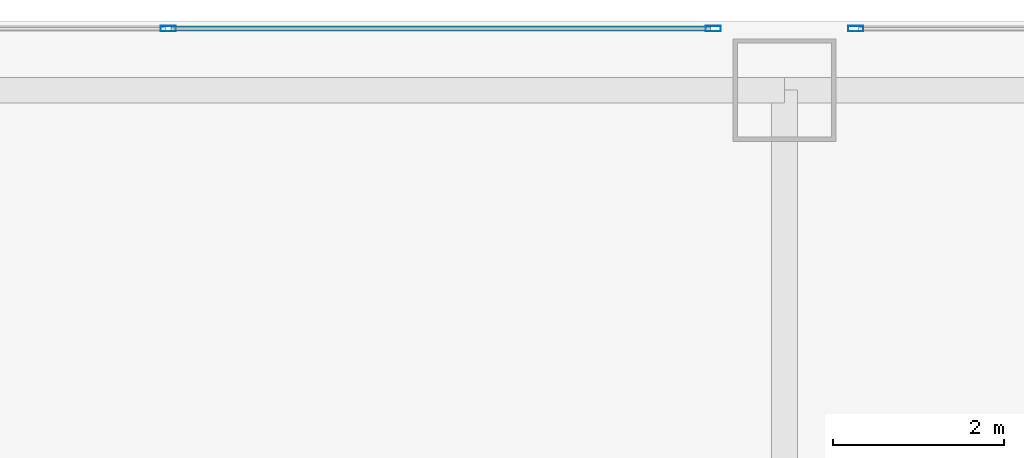
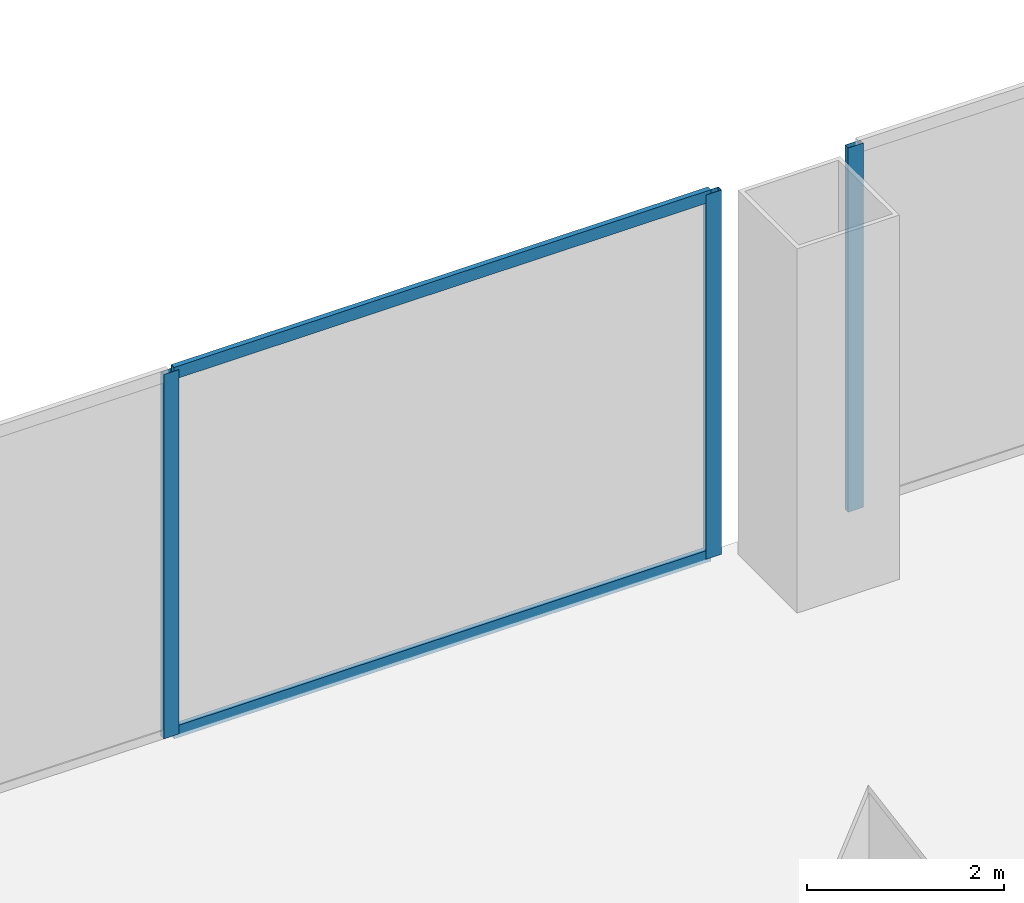
# One storey, part 20 of 40: 5 members, 2 elements without a shape of their own.
"""IFC4 building model written with IfcOpenShell, lengths in metres."""

import ifcopenshell
import ifcopenshell.guid

model = None  # the IFC model being written
_history = None  # IfcOwnerHistory: only IFC2X3 demands one
_inside = {}  # id of a spatial element -> (the spatial element, [elements in it])
_under = {}  # id of a project, library or spatial element -> (it, [spatial elements below it])
_declared = {}  # id of a project -> (the project, [libraries it declares])
_typed = {}  # id of a type object -> (the type object, [elements of that type])
_made_of = {}  # id of a material, layer set ... -> (it, [elements and type objects made of it])


def new_model(schema):
    """Start an empty IFC model of exactly this schema.

    Asked for "IFC4X3", IfcOpenShell would pick the latest addendum, in which some entities
    have other attributes; the version numbers below select the first issue.
    IFC2X3 requires an IfcOwnerHistory on every rooted entity: one is made here for all.
    """
    global model, _history
    if schema == "IFC4X3":
        model = ifcopenshell.file(schema_version=(4, 3, 0, 0))
    else:
        model = ifcopenshell.file(schema=schema)
    _inside.clear()
    _under.clear()
    _declared.clear()
    _typed.clear()
    _made_of.clear()
    _history = None
    if model.schema == "IFC2X3":
        org = make("IfcOrganization", Name="unknown")
        user = make(
            "IfcPersonAndOrganization",
            ThePerson=make("IfcPerson", FamilyName="unknown"),
            TheOrganization=org,
        )
        app = make(
            "IfcApplication",
            ApplicationDeveloper=org,
            Version="unknown",
            ApplicationFullName="unknown",
            ApplicationIdentifier="unknown",
        )
        _history = make(
            "IfcOwnerHistory",
            OwningUser=user,
            OwningApplication=app,
            ChangeAction="ADDED",
            CreationDate=0,
        )
    return model


def make(cls, **values):
    """One entity of the class cls with the attributes given. An attribute that is None is left unset."""
    return model.create_entity(
        cls, **{name: value for name, value in values.items() if value is not None}
    )


def rooted(cls, **values):
    """An entity with a GlobalId (a new one), such as an element, a storey or a relation."""
    return make(cls, GlobalId=ifcopenshell.guid.new(), OwnerHistory=_history, **values)


def si_unit(unit_type, name, prefix=None):
    """IfcSIUnit, for example si_unit("LENGTHUNIT", "METRE", prefix="MILLI")."""
    return make("IfcSIUnit", UnitType=unit_type, Prefix=prefix, Name=name)


def assignment(units):
    """IfcUnitAssignment: the units of a project."""
    return None if units is None else make("IfcUnitAssignment", Units=units)


def point(xyz):
    """IfcCartesianPoint."""
    return None if xyz is None else make("IfcCartesianPoint", Coordinates=xyz)


def direction(xyz):
    """IfcDirection."""
    return None if xyz is None else make("IfcDirection", DirectionRatios=xyz)


def frame(location, z_axis=None, x_axis=None):
    """IfcAxis2Placement3D, a coordinate frame: its origin and axes. An axis left out is left unset."""
    return make(
        "IfcAxis2Placement3D",
        Location=point(location),
        Axis=direction(z_axis),
        RefDirection=direction(x_axis),
    )


def frame_2d(location, x_axis=None):
    """IfcAxis2Placement2D, a coordinate frame in the plane: its origin and x axis."""
    return make(
        "IfcAxis2Placement2D", Location=point(location), RefDirection=direction(x_axis)
    )


def origin():
    """The frame at (0, 0, 0) with its axes left unset."""
    return frame((0.0, 0.0, 0.0))


def origin_2d():
    """The frame at (0, 0) in the plane with its x axis left unset."""
    return frame_2d((0.0, 0.0))


def place(relative_to, where):
    """IfcLocalPlacement: puts the frame where relative to a parent placement (None: the world)."""
    return make(
        "IfcLocalPlacement", PlacementRelTo=relative_to, RelativePlacement=where
    )


def context(
    kind, dimensions, precision=None, world=None, true_north=None, identifier=None
):
    """IfcGeometricRepresentationContext, for example the 3D "Model" context."""
    return make(
        "IfcGeometricRepresentationContext",
        ContextIdentifier=identifier,
        ContextType=kind,
        CoordinateSpaceDimension=dimensions,
        Precision=precision,
        WorldCoordinateSystem=world,
        TrueNorth=true_north,
    )


def subcontext(parent, identifier, kind, view, scale=None):
    """IfcGeometricRepresentationSubContext, for example "Body" below "Model"."""
    return make(
        "IfcGeometricRepresentationSubContext",
        ContextIdentifier=identifier,
        ContextType=kind,
        ParentContext=parent,
        TargetScale=scale,
        TargetView=view,
    )


def project(units=None, contexts=None):
    """IfcProject with its units and contexts."""
    return rooted(
        "IfcProject",
        Name="project",
        RepresentationContexts=contexts,
        UnitsInContext=assignment(units),
    )


def spatial(cls, under=None, at=None, **own):
    """A site, building, storey or space (cls), placed at a placement, below another one or the project."""
    s = rooted(cls, ObjectPlacement=at, **own)
    if under is not None:
        _under.setdefault(under.id(), (under, []))[1].append(s)
    return s


def profile(cls, at=None, kind="AREA", **sizes):
    """A parametric profile (cls). Its sizes go by their IFC names, for example OverallWidth=200.0."""
    return make(cls, ProfileType=kind, Position=at, **sizes)


def hollow_rectangle(**sizes):
    """IfcRectangleHollowProfileDef."""
    return profile("IfcRectangleHollowProfileDef", **sizes)


def extrude(swept, where, along, depth):
    """IfcExtrudedAreaSolid: the profile swept, set in the frame where, extruded along a direction by depth."""
    return make(
        "IfcExtrudedAreaSolid",
        SweptArea=swept,
        Position=where,
        ExtrudedDirection=direction(along),
        Depth=depth,
    )


def shape(context_of_items, identifier, shape_type, items):
    """IfcShapeRepresentation: the items that make up one representation, for example the "Body"."""
    return make(
        "IfcShapeRepresentation",
        ContextOfItems=context_of_items,
        RepresentationIdentifier=identifier,
        RepresentationType=shape_type,
        Items=items,
    )


def source(mapping_origin, context_of_items, identifier, shape_type, items):
    """IfcRepresentationMap: a shape defined once, which mapped items show again and again."""
    return make(
        "IfcRepresentationMap",
        MappingOrigin=mapping_origin,
        MappedRepresentation=shape(context_of_items, identifier, shape_type, items),
    )


def transform(
    local_origin,
    x_axis=None,
    y_axis=None,
    z_axis=None,
    scale=None,
    scale2=None,
    scale3=None,
    uniform=True,
):
    """IfcCartesianTransformationOperator3D, or its non-uniform kind. x_axis, y_axis, z_axis: its Axis1, 2, 3."""
    if uniform:
        return make(
            "IfcCartesianTransformationOperator3D",
            Axis1=direction(x_axis),
            Axis2=direction(y_axis),
            LocalOrigin=point(local_origin),
            Scale=scale,
            Axis3=direction(z_axis),
        )
    return make(
        "IfcCartesianTransformationOperator3DnonUniform",
        Axis1=direction(x_axis),
        Axis2=direction(y_axis),
        LocalOrigin=point(local_origin),
        Scale=scale,
        Axis3=direction(z_axis),
        Scale2=scale2,
        Scale3=scale3,
    )


def mapped(mapping_source, mapping_target):
    """IfcMappedItem: shows the shape of a source again, moved by a transform."""
    return make(
        "IfcMappedItem", MappingSource=mapping_source, MappingTarget=mapping_target
    )


def material(Name=None, Category=None):
    """IfcMaterial."""
    return make("IfcMaterial", Name=Name, Category=Category)


def layer(
    of_material, thickness, ventilated=None, Name=None, Category=None, Priority=None
):
    """IfcMaterialLayer: one layer of a wall or slab, of a material (None: an air gap)."""
    return make(
        "IfcMaterialLayer",
        Material=of_material,
        LayerThickness=thickness,
        IsVentilated=ventilated,
        Name=Name,
        Category=Category,
        Priority=Priority,
    )


def layer_set(layers, Name=None):
    """IfcMaterialLayerSet."""
    return make("IfcMaterialLayerSet", MaterialLayers=layers, LayerSetName=Name)


def material_profile(
    of_material, cross_section, Name=None, Category=None, Priority=None
):
    """IfcMaterialProfile: a cross section and its material."""
    return make(
        "IfcMaterialProfile",
        Name=Name,
        Material=of_material,
        Profile=cross_section,
        Priority=Priority,
        Category=Category,
    )


def profile_set(profiles, Name=None, composite=None):
    """IfcMaterialProfileSet."""
    return make(
        "IfcMaterialProfileSet",
        Name=Name,
        MaterialProfiles=profiles,
        CompositeProfile=composite,
    )


def made_of(thing, what):
    """Note that an element or type object is made of a material, layer set ...; save() writes the relation."""
    if what is not None:
        _made_of.setdefault(what.id(), (what, []))[1].append(thing)
    return thing


def type_object(cls, material=None, **own):
    """A type object (cls), such as IfcWallType, which elements share."""
    return made_of(rooted(cls, **own), material)


def element(
    cls,
    number,
    at=None,
    inside=None,
    cuts=None,
    type_object=None,
    material=None,
    context=None,
    identifier="Body",
    shape_type=None,
    held_by="IfcProductDefinitionShape",
    body=None,
    shapes=None,
    **own,
):
    """One element of the class cls, such as IfcWall. Its Tag is "e" and its number.

    at: its placement. inside: the storey or other place that contains it. cuts: it is an
    opening in that element (IfcRelVoidsElement). A single representation is given by context,
    identifier, shape_type and body (its items); several are given by shapes. held_by: the class
    of the entity that holds the representations. save() writes the other relations.
    """
    e = rooted(cls, Tag="e%d" % number, ObjectPlacement=at, **own)
    if body is not None:
        shapes = [shape(context, identifier, shape_type, body)]
    if shapes is not None:
        e.Representation = make(held_by, Representations=shapes)
    if inside is not None:
        _inside.setdefault(inside.id(), (inside, []))[1].append(e)
    if cuts is not None:
        rooted(
            "IfcRelVoidsElement", RelatingBuildingElement=cuts, RelatedOpeningElement=e
        )
    if type_object is not None:
        _typed.setdefault(type_object.id(), (type_object, []))[1].append(e)
    return made_of(e, material)


def aggregate(whole, parts):
    """IfcRelAggregates: a whole, such as a stair, and the parts it consists of."""
    return rooted("IfcRelAggregates", RelatingObject=whole, RelatedObjects=parts)


def save(model, path):
    """Write the relations noted so far, then the file.

    IfcRelAggregates (storeys below a building ...), IfcRelContainedInSpatialStructure (elements
    in a storey), IfcRelDefinesByType, IfcRelAssociatesMaterial and IfcRelDeclares: one each for
    every whole, place, type object, material and project.
    """
    for whole, parts in _under.values():
        aggregate(whole, parts)
    for where, things in _inside.values():
        rooted(
            "IfcRelContainedInSpatialStructure",
            RelatedElements=things,
            RelatingStructure=where,
        )
    for kind, things in _typed.values():
        rooted("IfcRelDefinesByType", RelatedObjects=things, RelatingType=kind)
    for what, things in _made_of.values():
        rooted("IfcRelAssociatesMaterial", RelatedObjects=things, RelatingMaterial=what)
    for by, libraries in _declared.values():
        rooted("IfcRelDeclares", RelatingContext=by, RelatedDefinitions=libraries)
    model.write(path)


model = new_model("IFC4")

# Units and contexts
model_context = context("Model", 3, precision=1e-05, world=origin(), true_north=direction((0.0, 1.0)))
body_context = subcontext(model_context, "Body", "Model", "MODEL_VIEW")
ifc_project = project(units=[si_unit("LENGTHUNIT", "METRE"), si_unit("AREAUNIT", "SQUARE_METRE"), si_unit("VOLUMEUNIT", "CUBIC_METRE"), si_unit("PLANEANGLEUNIT", "RADIAN"), si_unit("MASSUNIT", "GRAM", prefix="KILO"), si_unit("THERMODYNAMICTEMPERATUREUNIT", "KELVIN"), si_unit("POWERUNIT", "WATT")], contexts=[model_context])

# Site, building, storey
site_placement = place(None, origin())
site = spatial("IfcSite", under=ifc_project, at=site_placement, CompositionType="ELEMENT")
building_placement = place(site_placement, origin())
building = spatial("IfcBuilding", under=site, at=building_placement, Name="Yunzhuo Pagoda Commons", CompositionType="ELEMENT")
storey_placement = place(building_placement, frame((0.0, 0.0, 14.39990234375)))
storey = spatial("IfcBuildingStorey", under=building, at=storey_placement, Name="L04", CompositionType="ELEMENT", Elevation=14.39990234375)

# Curtain wall, members
ifc_material = material(Name="Anodized aluminium 6063-T6", Category="aluminium")
ifc_layer = layer(ifc_material, 0.179931640625)
ifc_layer_set = layer_set([ifc_layer], Name="Anodized aluminium 6063-T6")
curtain_wall_type = type_object("IfcCurtainWallType", Name="CW-POD Waterfront Podium Curtain Wall", PredefinedType="NOTDEFINED", material=ifc_layer_set)
curtain_wall_1_placement = place(storey_placement, origin())
curtain_wall_1 = element("IfcCurtainWall", 1, at=curtain_wall_1_placement, inside=storey, type_object=curtain_wall_type, Name="L04 curtain wall CW-L04-N2", PredefinedType="NOTDEFINED")
ifc_material_profile_1 = material_profile(ifc_material, hollow_rectangle(XDim=0.06494140625, YDim=0.179931640625, WallThickness=0.00390625, at=origin_2d()), Name="Anodized aluminium 6063-T6")
ifc_profile_set_1 = profile_set([ifc_material_profile_1], Name="Anodized aluminium 6063-T6")
member_type_1 = type_object("IfcMemberType", Name="CW-POD-M Mullion RHS 180x65x4", PredefinedType="MULLION", material=ifc_profile_set_1)
shared_shape_1 = source(origin(), body_context, "Body", "SweptSolid", [
    extrude(hollow_rectangle(XDim=0.06494140625, YDim=0.179931640625, WallThickness=0.00390625, at=origin_2d()), origin(), (0.0, 0.0, 1.0), 4.52001953125),
])
member_1_placement = place(storey_placement, frame((26.39990234375, 81.919921875, 0.0), z_axis=(0.0, 0.0, 1.0), x_axis=(0.0, 1.0, 0.0)))
member_1 = element("IfcMember", 2, at=member_1_placement, type_object=member_type_1, Name="CW mullion 2", PredefinedType="MULLION", context=body_context, shape_type="MappedRepresentation", body=[
    mapped(shared_shape_1, transform((0.0, 0.0, 0.0), scale=1.0)),
])
member_2_placement = place(storey_placement, frame((32.767578125, 81.919921875, 0.0), z_axis=(0.0, 0.0, 1.0), x_axis=(0.0, 1.0, 0.0)))
member_2 = element("IfcMember", 3, at=member_2_placement, type_object=member_type_1, Name="CW mullion 3", PredefinedType="MULLION", context=body_context, shape_type="MappedRepresentation", body=[
    mapped(shared_shape_1, transform((0.0, 0.0, 0.0), scale=1.0)),
])

# Curtain wall, member
curtain_wall_2_placement = place(storey_placement, origin())
curtain_wall_2 = element("IfcCurtainWall", 4, at=curtain_wall_2_placement, inside=storey, type_object=curtain_wall_type, Name="L04 curtain wall CW-L04-N3", PredefinedType="NOTDEFINED")
member_3_placement = place(storey_placement, frame((34.4326171875, 81.919921875, 0.0), z_axis=(0.0, 0.0, 1.0), x_axis=(0.0, 1.0, 0.0)))
member_3 = element("IfcMember", 5, at=member_3_placement, type_object=member_type_1, Name="CW mullion 1", PredefinedType="MULLION", context=body_context, shape_type="MappedRepresentation", body=[
    mapped(shared_shape_1, transform((0.0, 0.0, 0.0), scale=1.0)),
])
aggregate(curtain_wall_2, [member_3])

# Member
ifc_material_profile_2 = material_profile(ifc_material, hollow_rectangle(XDim=0.06005859375, YDim=0.14990234375, WallThickness=0.00390625, at=origin_2d()), Name="Anodized aluminium 6063-T6")
ifc_profile_set_2 = profile_set([ifc_material_profile_2], Name="Anodized aluminium 6063-T6")
member_type_2 = type_object("IfcMemberType", Name="CW-POD-T Transom RHS 150x60x4", PredefinedType="USERDEFINED", material=ifc_profile_set_2)
shared_shape_2 = source(origin(), body_context, "Body", "SweptSolid", [
    extrude(hollow_rectangle(XDim=0.06005859375, YDim=0.14990234375, WallThickness=0.00390625, at=origin_2d()), origin(), (0.0, 0.0, 1.0), 6.302490234375),
])
member_4_placement = place(storey_placement, frame((26.4326171875, 81.919921875, 0.030029296875), z_axis=(1.0, 0.0, 0.0), x_axis=(0.0, 1.0, 0.0)))
member_4 = element("IfcMember", 6, at=member_4_placement, type_object=member_type_2, Name="CW transom 2.1", ObjectType="TRANSOM", PredefinedType="USERDEFINED", context=body_context, shape_type="MappedRepresentation", body=[
    mapped(shared_shape_2, transform((0.0, 0.0, 0.0), scale=1.0)),
])

member_5_placement = place(storey_placement, frame((26.4326171875, 81.919921875, 4.489990234375), z_axis=(1.0, 0.0, 0.0), x_axis=(0.0, 1.0, 0.0)))
member_5 = element("IfcMember", 7, at=member_5_placement, type_object=member_type_2, Name="CW transom 2.2", ObjectType="TRANSOM", PredefinedType="USERDEFINED", context=body_context, shape_type="MappedRepresentation", body=[
    mapped(shared_shape_2, transform((0.0, 0.0, 0.0), scale=1.0)),
])

aggregate(curtain_wall_1, [member_1, member_2, member_4, member_5])

save(model, "model.ifc")
